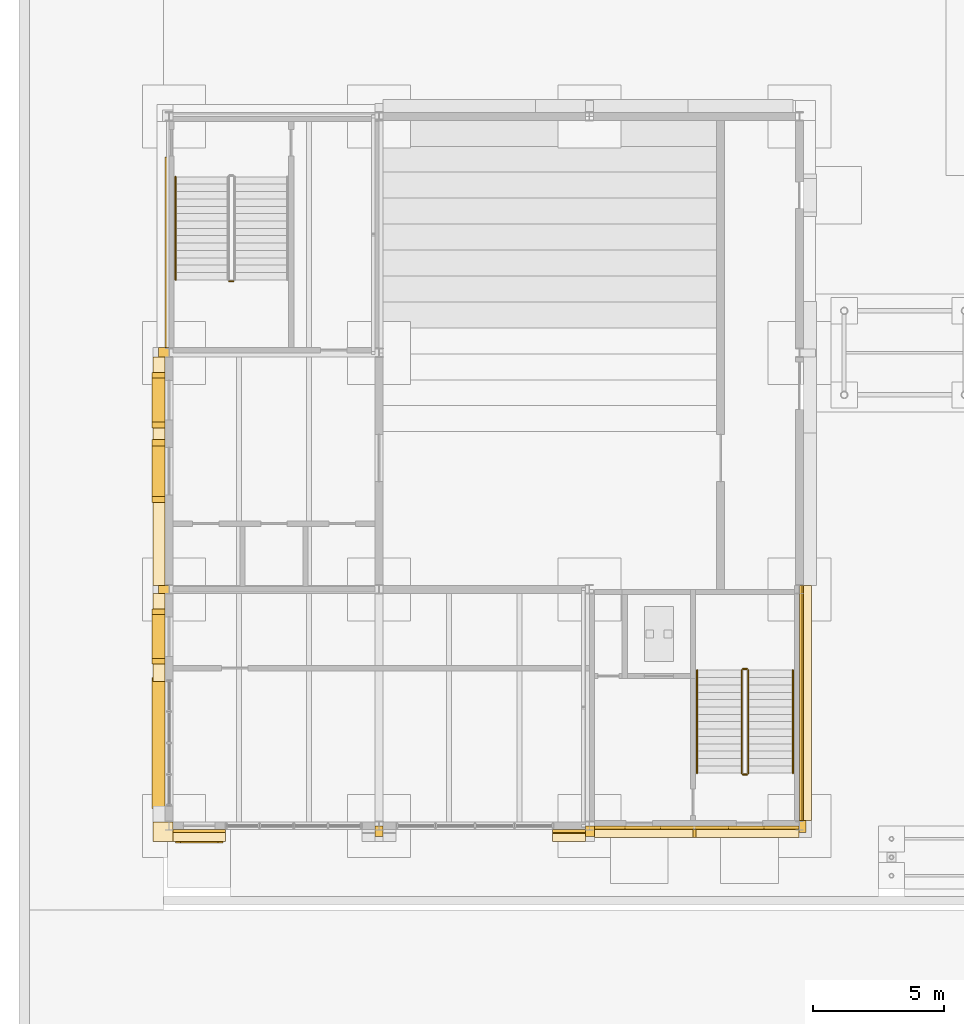
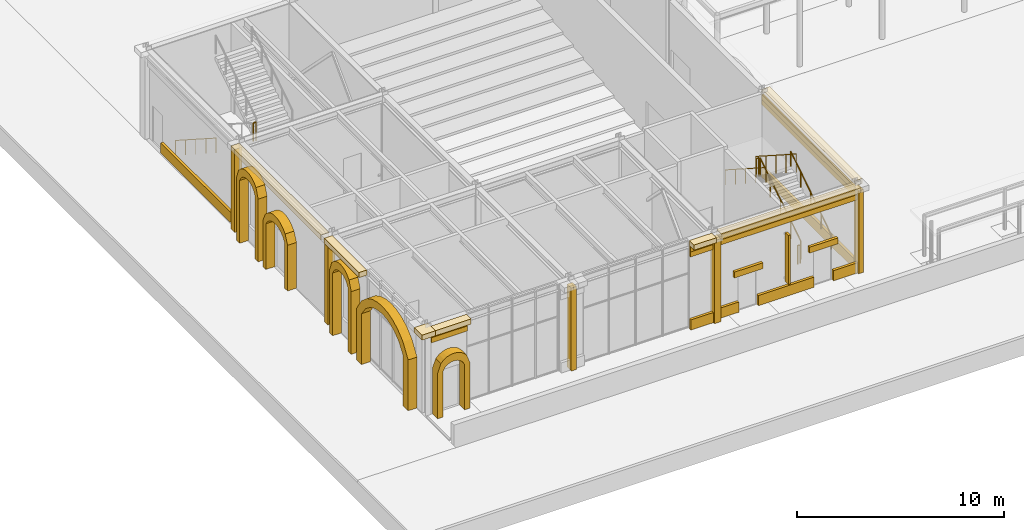
# One storey, part 97 of 126: 33 coverings, 8 railings, 1 shading device.
"""IFC4 building model written with IfcOpenShell, lengths in metres."""

from ifc_helpers import new_model, si_unit, direction, frame, origin, origin_2d, place, context, subcontext, project, spatial, polyline, rectangle, circle, outline, extrude, material, layer, layer_set, type_object, element, save


model = new_model("IFC4")

# Units and contexts
model_context = context("Model", 3, precision=1e-05, world=origin(), true_north=direction((0.0, 1.0)))
body_context = subcontext(model_context, "Body", "Model", "MODEL_VIEW")
ifc_project = project(units=[si_unit("LENGTHUNIT", "METRE"), si_unit("AREAUNIT", "SQUARE_METRE"), si_unit("VOLUMEUNIT", "CUBIC_METRE"), si_unit("PLANEANGLEUNIT", "RADIAN"), si_unit("MASSUNIT", "GRAM", prefix="KILO")], contexts=[model_context])

# Site, building, storey
site_placement = place(None, origin())
site = spatial("IfcSite", under=ifc_project, at=site_placement, CompositionType="ELEMENT")
building_placement = place(site_placement, origin())
building = spatial("IfcBuilding", under=site, at=building_placement, Name="Kallimachos Central Library", CompositionType="ELEMENT")
storey_placement = place(building_placement, origin())
storey = spatial("IfcBuildingStorey", under=building, at=storey_placement, Name="L00", CompositionType="ELEMENT", Elevation=0.0)

# Coverings
ifc_material_1 = material(Name="Glazed ceramic frieze, green")
ifc_layer_1 = layer(ifc_material_1, 0.10009765625)
ifc_layer_set_1 = layer_set([ifc_layer_1], Name="Glazed ceramic frieze, green")
covering_type_1 = type_object("IfcCoveringType", Name="Glazed ceramic frieze, green", PredefinedType="CLADDING", material=ifc_layer_set_1)
covering_1_placement = place(storey_placement, frame((7.14990234375, 8.800048828125, 4.580078125), z_axis=(0.0, 0.0, 1.0), x_axis=(1.0, 0.0, 0.0)))
element("IfcCovering", 1, at=covering_1_placement, inside=storey, type_object=covering_type_1, Name="Glazed ceramic frieze, green -L00-005", PredefinedType="CLADDING", context=body_context, shape_type="SweptSolid", body=[
    extrude(rectangle(XDim=2.0, YDim=0.10009765625, at=origin_2d()), origin(), (0.0, 0.0, 1.0), 0.300048828125),
])
covering_2_placement = place(storey_placement, frame((21.219970703125, 8.800048828125, 4.580078125), z_axis=(0.0, 0.0, 1.0), x_axis=(1.0, 0.0, 0.0)))
element("IfcCovering", 2, at=covering_2_placement, inside=storey, type_object=covering_type_1, Name="Glazed ceramic frieze, green -L00-008", PredefinedType="CLADDING", context=body_context, shape_type="SweptSolid", body=[
    extrude(rectangle(XDim=1.260009765625, YDim=0.10009765625, at=origin_2d()), origin(), (0.0, 0.0, 1.0), 0.300048828125),
])
covering_3_placement = place(storey_placement, frame((26.094970703125, 8.949951171875, 4.580078125), z_axis=(0.0, 0.0, 1.0), x_axis=(1.0, 0.0, 0.0)))
element("IfcCovering", 3, at=covering_3_placement, inside=storey, type_object=covering_type_1, Name="Glazed ceramic frieze, green -L00-019", PredefinedType="CLADDING", context=body_context, shape_type="SweptSolid", body=[
    extrude(rectangle(XDim=7.7900390625, YDim=0.10009765625, at=origin_2d()), origin(), (0.0, 0.0, 1.0), 0.300048828125),
])
covering_4_placement = place(storey_placement, frame((30.050048828125, 13.675048828125, 4.580078125), z_axis=(0.0, 0.0, 1.0), x_axis=(1.0, 0.0, 0.0)))
element("IfcCovering", 4, at=covering_4_placement, inside=storey, type_object=covering_type_1, Name="Glazed ceramic frieze, green -L00-020", PredefinedType="CLADDING", context=body_context, shape_type="SweptSolid", body=[
    extrude(rectangle(XDim=0.10009765625, YDim=8.949951171875, at=origin_2d()), origin(), (0.0, 0.0, 1.0), 0.300048828125),
])
ifc_material_2 = material(Name="Glazed ceramic frieze, ochre")
ifc_layer_2 = layer(ifc_material_2, 0.10009765625)
ifc_layer_set_2 = layer_set([ifc_layer_2], Name="Glazed ceramic frieze, ochre")
covering_type_2 = type_object("IfcCoveringType", Name="Glazed ceramic frieze, ochre", PredefinedType="CLADDING", material=ifc_layer_set_2)
covering_5_placement = place(storey_placement, frame((7.14990234375, 8.800048828125, 4.27978515625), z_axis=(0.0, 0.0, 1.0), x_axis=(1.0, 0.0, 0.0)))
element("IfcCovering", 5, at=covering_5_placement, inside=storey, type_object=covering_type_2, Name="Glazed ceramic frieze, ochre -L00-005", PredefinedType="CLADDING", context=body_context, shape_type="SweptSolid", body=[
    extrude(rectangle(XDim=2.0, YDim=0.10009765625, at=origin_2d()), origin(), (0.0, 0.0, 1.0), 0.300048828125),
])
covering_6_placement = place(storey_placement, frame((21.219970703125, 8.800048828125, 4.27978515625), z_axis=(0.0, 0.0, 1.0), x_axis=(1.0, 0.0, 0.0)))
element("IfcCovering", 6, at=covering_6_placement, inside=storey, type_object=covering_type_2, Name="Glazed ceramic frieze, ochre -L00-008", PredefinedType="CLADDING", context=body_context, shape_type="SweptSolid", body=[
    extrude(rectangle(XDim=1.260009765625, YDim=0.10009765625, at=origin_2d()), origin(), (0.0, 0.0, 1.0), 0.300048828125),
])
covering_7_placement = place(storey_placement, frame((26.094970703125, 8.949951171875, 4.27978515625), z_axis=(0.0, 0.0, 1.0), x_axis=(1.0, 0.0, 0.0)))
element("IfcCovering", 7, at=covering_7_placement, inside=storey, type_object=covering_type_2, Name="Glazed ceramic frieze, ochre -L00-019", PredefinedType="CLADDING", context=body_context, shape_type="SweptSolid", body=[
    extrude(rectangle(XDim=7.7900390625, YDim=0.10009765625, at=origin_2d()), origin(), (0.0, 0.0, 1.0), 0.300048828125),
])
covering_8_placement = place(storey_placement, frame((30.050048828125, 13.675048828125, 4.27978515625), z_axis=(0.0, 0.0, 1.0), x_axis=(1.0, 0.0, 0.0)))
element("IfcCovering", 8, at=covering_8_placement, inside=storey, type_object=covering_type_2, Name="Glazed ceramic frieze, ochre -L00-020", PredefinedType="CLADDING", context=body_context, shape_type="SweptSolid", body=[
    extrude(rectangle(XDim=0.10009765625, YDim=8.949951171875, at=origin_2d()), origin(), (0.0, 0.0, 1.0), 0.300048828125),
])

# Railings
ifc_material_3 = material(Name="Wrought iron")
railing_type_1 = type_object("IfcRailingType", Name="Stair guard", PredefinedType="GUARDRAIL", material=ifc_material_3)
railing_1_placement = place(storey_placement, frame((28.050048828125, 11.0, 0.179931640625)))
element("IfcRailing", 9, at=railing_1_placement, inside=storey, type_object=railing_type_1, Name="L00 ST17 stair guard 1", PredefinedType="GUARDRAIL", context=body_context, shape_type="SweptSolid", body=[
    extrude(circle(Radius=0.02392578125, at=origin_2d()), frame((0.0, 0.0, 1.076171875), z_axis=(0.0, 0.841171666519, 0.540768182723), x_axis=(-1.0, 0.0, 0.0)), (0.0, 0.0, 1.0), 4.66015625),
    extrude(circle(Radius=0.02099609375, at=origin_2d()), origin(), (0.0, 0.0, 1.0), 1.052001953125),
    extrude(circle(Radius=0.02099609375, at=origin_2d()), frame((0.0, 0.97998046875, 0.6298828125)), (0.0, 0.0, 1.0), 1.052001953125),
    extrude(circle(Radius=0.02099609375, at=origin_2d()), frame((0.0, 1.9599609375, 1.260009765625)), (0.0, 0.0, 1.0), 1.052001953125),
    extrude(circle(Radius=0.02099609375, at=origin_2d()), frame((0.0, 2.93994140625, 1.89013671875)), (0.0, 0.0, 1.0), 1.052001953125),
    extrude(circle(Radius=0.02099609375, at=origin_2d()), frame((0.0, 3.919921875, 2.52001953125)), (0.0, 0.0, 1.0), 1.052001953125),
])
railing_2_placement = place(storey_placement, frame((28.0, 14.969970703125, 2.699951171875)))
element("IfcRailing", 10, at=railing_2_placement, inside=storey, type_object=railing_type_1, Name="L00 ST17 stair guard 2", PredefinedType="GUARDRAIL", context=body_context, shape_type="SweptSolid", body=[
    extrude(circle(Radius=0.02392578125, at=origin_2d()), frame((0.0, 0.0, 1.076171875), z_axis=(-1.0, 0.0, 0.0), x_axis=(0.0, -1.0, 0.0)), (0.0, 0.0, 1.0), 0.14990234375),
    extrude(circle(Radius=0.02099609375, at=origin_2d()), origin(), (0.0, 0.0, 1.0), 1.052001953125),
    extrude(circle(Radius=0.02099609375, at=origin_2d()), frame((-0.14990234375, 0.0, 0.0)), (0.0, 0.0, 1.0), 1.052001953125),
])
railing_3_placement = place(storey_placement, frame((27.800048828125, 14.919921875, 2.8798828125)))
element("IfcRailing", 11, at=railing_3_placement, inside=storey, type_object=railing_type_1, Name="L00 ST17 stair guard 3", PredefinedType="GUARDRAIL", context=body_context, shape_type="SweptSolid", body=[
    extrude(circle(Radius=0.02392578125, at=origin_2d()), frame((0.0, 0.0, 1.076171875), z_axis=(0.0, -0.841171666519, 0.540768182723), x_axis=(1.0, 0.0, 0.0)), (0.0, 0.0, 1.0), 4.66015625),
    extrude(circle(Radius=0.02099609375, at=origin_2d()), origin(), (0.0, 0.0, 1.0), 1.052001953125),
    extrude(circle(Radius=0.02099609375, at=origin_2d()), frame((0.0, -0.97998046875, 0.6298828125)), (0.0, 0.0, 1.0), 1.052001953125),
    extrude(circle(Radius=0.02099609375, at=origin_2d()), frame((0.0, -1.9599609375, 1.260009765625)), (0.0, 0.0, 1.0), 1.052001953125),
    extrude(circle(Radius=0.02099609375, at=origin_2d()), frame((0.0, -2.93994140625, 1.89013671875)), (0.0, 0.0, 1.0), 1.052001953125),
    extrude(circle(Radius=0.02099609375, at=origin_2d()), frame((0.0, -3.919921875, 2.52001953125)), (0.0, 0.0, 1.0), 1.052001953125),
])
railing_4_placement = place(storey_placement, frame((28.0, 10.949951171875, 0.0)))
element("IfcRailing", 12, at=railing_4_placement, inside=storey, type_object=railing_type_1, Name="L00 ST17 stair guard 4", PredefinedType="GUARDRAIL", context=body_context, shape_type="SweptSolid", body=[
    extrude(circle(Radius=0.02392578125, at=origin_2d()), frame((0.0, 0.0, 1.076171875), z_axis=(-1.0, 0.0, 0.0), x_axis=(0.0, -1.0, 0.0)), (0.0, 0.0, 1.0), 0.14990234375),
    extrude(circle(Radius=0.02099609375, at=origin_2d()), origin(), (0.0, 0.0, 1.0), 1.052001953125),
    extrude(circle(Radius=0.02099609375, at=origin_2d()), frame((-0.14990234375, 0.0, 0.0)), (0.0, 0.0, 1.0), 1.052001953125),
])
railing_5_placement = place(storey_placement, frame((8.300048828125, 29.72998046875, 2.699951171875)))
element("IfcRailing", 13, at=railing_5_placement, inside=storey, type_object=railing_type_1, Name="L00 ST18 stair guard 2", PredefinedType="GUARDRAIL", context=body_context, shape_type="SweptSolid", body=[
    extrude(circle(Radius=0.02392578125, at=origin_2d()), frame((0.0, 0.0, 1.076171875), z_axis=(1.0, 0.0, 0.0), x_axis=(0.0, 1.0, 0.0)), (0.0, 0.0, 1.0), 0.14990234375),
    extrude(circle(Radius=0.02099609375, at=origin_2d()), origin(), (0.0, 0.0, 1.0), 1.052001953125),
    extrude(circle(Radius=0.02099609375, at=origin_2d()), frame((0.14990234375, 0.0, 0.0)), (0.0, 0.0, 1.0), 1.052001953125),
])
ifc_material_4 = material(Name="Wrought iron")
railing_type_2 = type_object("IfcRailingType", Name="Stair handrail", PredefinedType="HANDRAIL", material=ifc_material_4)
railing_6_placement = place(storey_placement, frame((29.75, 11.0, 0.179931640625)))
element("IfcRailing", 14, at=railing_6_placement, inside=storey, type_object=railing_type_2, Name="L00 ST17 stair handrail 1", PredefinedType="HANDRAIL", context=body_context, shape_type="SweptSolid", body=[
    extrude(circle(Radius=0.02392578125, at=origin_2d()), frame((0.0, 0.0, 0.8759765625), z_axis=(0.0, 0.841171666519, 0.540768182723), x_axis=(-1.0, 0.0, 0.0)), (0.0, 0.0, 1.0), 4.66015625),
    extrude(circle(Radius=0.02099609375, at=origin_2d()), origin(), (0.0, 0.0, 1.0), 0.851806640625),
    extrude(circle(Radius=0.02099609375, at=origin_2d()), frame((0.0, 0.97998046875, 0.6298828125)), (0.0, 0.0, 1.0), 0.851806640625),
    extrude(circle(Radius=0.02099609375, at=origin_2d()), frame((0.0, 1.9599609375, 1.260009765625)), (0.0, 0.0, 1.0), 0.851806640625),
    extrude(circle(Radius=0.02099609375, at=origin_2d()), frame((0.0, 2.93994140625, 1.89013671875)), (0.0, 0.0, 1.0), 0.851806640625),
    extrude(circle(Radius=0.02099609375, at=origin_2d()), frame((0.0, 3.919921875, 2.52001953125)), (0.0, 0.0, 1.0), 0.851806640625),
])
for number, where, name in (
    (15, (26.10009765625, 14.919921875, 2.8798828125), "L00 ST17 stair handrail 2"),
    (16, (6.25, 33.699951171875, 0.179931640625), "L00 ST18 stair handrail 1"),
):
    element("IfcRailing", number, at=place(storey_placement, frame(where)), inside=storey, type_object=railing_type_2, Name=name, PredefinedType="HANDRAIL", context=body_context, shape_type="SweptSolid", body=[
        extrude(circle(Radius=0.02392578125, at=origin_2d()), frame((0.0, 0.0, 0.8759765625), z_axis=(0.0, -0.841171666519, 0.540768182723), x_axis=(1.0, 0.0, 0.0)), (0.0, 0.0, 1.0), 4.66015625),
        extrude(circle(Radius=0.02099609375, at=origin_2d()), origin(), (0.0, 0.0, 1.0), 0.851806640625),
        extrude(circle(Radius=0.02099609375, at=origin_2d()), frame((0.0, -0.97998046875, 0.6298828125)), (0.0, 0.0, 1.0), 0.851806640625),
        extrude(circle(Radius=0.02099609375, at=origin_2d()), frame((0.0, -1.9599609375, 1.260009765625)), (0.0, 0.0, 1.0), 0.851806640625),
        extrude(circle(Radius=0.02099609375, at=origin_2d()), frame((0.0, -2.93994140625, 1.89013671875)), (0.0, 0.0, 1.0), 0.851806640625),
        extrude(circle(Radius=0.02099609375, at=origin_2d()), frame((0.0, -3.919921875, 2.52001953125)), (0.0, 0.0, 1.0), 0.851806640625),
    ])

# Coverings
ifc_material_5 = material(Name="Pentelic marble arcade ring", Category="masonry")
ifc_layer_3 = layer(ifc_material_5, 0.5)
ifc_layer_set_3 = layer_set([ifc_layer_3], Name="Stone arcade ring 500")
covering_type_3 = type_object("IfcCoveringType", Name="Stone arcade ring 500", PredefinedType="MOLDING", material=ifc_layer_set_3)
for number, where, z_axis, x_axis, name in (
    (17, (5.35009765625, 15.14990234375, 0.0), (-1.0, 0.0, 0.0), (0.0, 0.0, 1.0), "Arcade ring -L00-010-12"),
    (18, (5.35009765625, 24.14990234375, 0.0), (-1.0, 0.0, 0.0), (0.0, 0.0, 1.0), "Arcade ring -L00-011-13"),
):
    element("IfcCovering", number, at=place(storey_placement, frame(where, z_axis=z_axis, x_axis=x_axis)), inside=storey, type_object=covering_type_3, Name=name, PredefinedType="MOLDING", context=body_context, shape_type="SweptSolid", body=[
        extrude(outline(polyline([(0.0, 0.0), (3.699951171875, 0.0), (4.2568359375, 0.210205078125), (4.4658203125, 0.420166015625), (4.587646484375, 0.630126953125), (4.65380859375, 0.840087890625), (4.675048828125, 1.050048828125), (4.65380859375, 1.260009765625), (4.587646484375, 1.47021484375), (4.4658203125, 1.68017578125), (4.2568359375, 1.89013671875), (3.699951171875, 2.10009765625), (0.0, 2.10009765625), (0.0, 1.800048828125), (3.699951171875, 1.800048828125), (3.953125, 1.650146484375), (4.086181640625, 1.5), (4.16650390625, 1.35009765625), (4.210693359375, 1.2001953125), (4.22509765625, 1.050048828125), (4.210693359375, 0.900146484375), (4.16650390625, 0.75), (4.086181640625, 0.60009765625), (3.953125, 0.4501953125), (3.699951171875, 0.300048828125), (0.0, 0.300048828125), (0.0, 0.0)])), origin(), (0.0, 0.0, -1.0), 0.5),
    ])
ifc_material_6 = material(Name="Pentelic marble cornice", Category="masonry")
ifc_layer_4 = layer(ifc_material_6, 0.449951171875)
ifc_layer_set_4 = layer_set([ifc_layer_4], Name="Stone cornice 450")
covering_type_4 = type_object("IfcCoveringType", Name="Stone cornice 450", PredefinedType="MOLDING", material=ifc_layer_set_4)
covering_9_placement = place(storey_placement, frame((7.14990234375, 8.625, 4.89990234375), z_axis=(0.0, 0.0, 1.0), x_axis=(1.0, 0.0, 0.0)))
element("IfcCovering", 19, at=covering_9_placement, inside=storey, type_object=covering_type_4, Name="Stone cornice 450 -L00-005", PredefinedType="MOLDING", context=body_context, shape_type="SweptSolid", body=[
    extrude(rectangle(XDim=2.0, YDim=0.449951171875, at=origin_2d()), origin(), (0.0, 0.0, 1.0), 0.300048828125),
])
covering_10_placement = place(storey_placement, frame((21.219970703125, 8.625, 4.89990234375), z_axis=(0.0, 0.0, 1.0), x_axis=(1.0, 0.0, 0.0)))
element("IfcCovering", 20, at=covering_10_placement, inside=storey, type_object=covering_type_4, Name="Stone cornice 450 -L00-008", PredefinedType="MOLDING", context=body_context, shape_type="SweptSolid", body=[
    extrude(rectangle(XDim=1.260009765625, YDim=0.449951171875, at=origin_2d()), origin(), (0.0, 0.0, 1.0), 0.300048828125),
])
covering_11_placement = place(storey_placement, frame((5.625, 16.169921875, 4.89990234375), z_axis=(0.0, 0.0, 1.0), x_axis=(1.0, 0.0, 0.0)))
element("IfcCovering", 21, at=covering_11_placement, inside=storey, type_object=covering_type_4, Name="Stone cornice 450 -L00-010", PredefinedType="MOLDING", context=body_context, shape_type="SweptSolid", body=[
    extrude(rectangle(XDim=0.449951171875, YDim=3.360107421875, at=origin_2d()), origin(), (0.0, 0.0, 1.0), 0.300048828125),
])
covering_12_placement = place(storey_placement, frame((5.625, 22.5, 4.89990234375), z_axis=(0.0, 0.0, 1.0), x_axis=(1.0, 0.0, 0.0)))
element("IfcCovering", 22, at=covering_12_placement, inside=storey, type_object=covering_type_4, Name="Stone cornice 450 -L00-011", PredefinedType="MOLDING", context=body_context, shape_type="SweptSolid", body=[
    extrude(rectangle(XDim=0.449951171875, YDim=8.699951171875, at=origin_2d()), origin(), (0.0, 0.0, 1.0), 0.300048828125),
])
covering_13_placement = place(storey_placement, frame((26.094970703125, 8.77490234375, 4.89990234375), z_axis=(0.0, 0.0, 1.0), x_axis=(1.0, 0.0, 0.0)))
element("IfcCovering", 23, at=covering_13_placement, inside=storey, type_object=covering_type_4, Name="Stone cornice 450 -L00-019", PredefinedType="MOLDING", context=body_context, shape_type="SweptSolid", body=[
    extrude(rectangle(XDim=7.7900390625, YDim=0.449951171875, at=origin_2d()), origin(), (0.0, 0.0, 1.0), 0.300048828125),
])
covering_14_placement = place(storey_placement, frame((30.22509765625, 13.675048828125, 4.89990234375), z_axis=(0.0, 0.0, 1.0), x_axis=(1.0, 0.0, 0.0)))
element("IfcCovering", 24, at=covering_14_placement, inside=storey, type_object=covering_type_4, Name="Stone cornice 450 -L00-020", PredefinedType="MOLDING", context=body_context, shape_type="SweptSolid", body=[
    extrude(rectangle(XDim=0.449951171875, YDim=8.949951171875, at=origin_2d()), origin(), (0.0, 0.0, 1.0), 0.300048828125),
])
covering_15_placement = place(storey_placement, frame((5.77490234375, 8.77490234375, 4.89990234375), z_axis=(0.0, 0.0, 1.0), x_axis=(1.0, 0.0, 0.0)))
element("IfcCovering", 25, at=covering_15_placement, inside=storey, type_object=covering_type_4, Name="Stone cornice 450 corner", PredefinedType="MOLDING", context=body_context, shape_type="SweptSolid", body=[
    extrude(rectangle(XDim=0.75, YDim=0.75, at=origin_2d()), origin(), (0.0, 0.0, 1.0), 0.300048828125),
])
ifc_material_7 = material(Name="Pentelic marble portal arch", Category="masonry")
ifc_layer_5 = layer(ifc_material_7, 0.5)
ifc_layer_set_5 = layer_set([ifc_layer_5], Name="Stone door portal 500")
covering_type_5 = type_object("IfcCoveringType", Name="Stone door portal 500", PredefinedType="MOLDING", material=ifc_layer_set_5)
covering_16_placement = place(storey_placement, frame((6.550048828125, 8.35009765625, 0.0), z_axis=(0.0, -1.0, 0.0), x_axis=(0.0, 0.0, 1.0)))
element("IfcCovering", 26, at=covering_16_placement, inside=storey, type_object=covering_type_5, Name="Door portal -DOR-L00-002", PredefinedType="MOLDING", context=body_context, shape_type="SweptSolid", body=[
    extrude(outline(polyline([(0.0, 0.0), (2.699951171875, 0.0), (2.891845703125, -0.119873046875), (2.99560546875, -0.239990234375), (3.058837890625, -0.35986328125), (3.09375, -0.47998046875), (3.10498046875, -0.599853515625), (3.09375, -0.719970703125), (3.058837890625, -0.83984375), (2.99560546875, -0.9599609375), (2.891845703125, -1.079833984375), (2.699951171875, -1.199951171875), (0.0, -1.199951171875), (0.0, -1.5), (2.699951171875, -1.5), (3.19580078125, -1.320068359375), (3.375244140625, -1.139892578125), (3.47998046875, -0.9599609375), (3.536865234375, -0.780029296875), (3.554931640625, -0.599853515625), (3.536865234375, -0.419921875), (3.47998046875, -0.239990234375), (3.375244140625, -0.06005859375), (3.19580078125, 0.1201171875), (2.699951171875, 0.300048828125), (0.0, 0.300048828125), (0.0, 0.0)])), origin(), (0.0, 0.0, -1.0), 0.5),
])
covering_17_placement = place(storey_placement, frame((5.35009765625, 21.300048828125, 0.0), z_axis=(-1.0, 0.0, 0.0), x_axis=(0.0, 0.0, 1.0)))
element("IfcCovering", 27, at=covering_17_placement, inside=storey, type_object=covering_type_5, Name="Door portal -DOR-L00-003", PredefinedType="MOLDING", context=body_context, shape_type="SweptSolid", body=[
    extrude(outline(polyline([(0.0, 0.0), (2.699951171875, 0.0), (3.224365234375, 0.239990234375), (3.455322265625, 0.47998046875), (3.591796875, 0.719970703125), (3.666259765625, 0.9599609375), (3.68994140625, 1.199951171875), (3.666259765625, 1.43994140625), (3.591796875, 1.679931640625), (3.455322265625, 1.919921875), (3.224365234375, 2.159912109375), (2.699951171875, 2.39990234375), (0.0, 2.39990234375), (0.0, 2.099853515625), (2.699951171875, 2.099853515625), (2.9423828125, 1.919921875), (3.085205078125, 1.739990234375), (3.17431640625, 1.56005859375), (3.22412109375, 1.3798828125), (3.239990234375, 1.199951171875), (3.22412109375, 1.02001953125), (3.17431640625, 0.83984375), (3.085205078125, 0.659912109375), (2.9423828125, 0.47998046875), (2.699951171875, 0.300048828125), (0.0, 0.300048828125), (0.0, 0.0)])), origin(), (0.0, 0.0, -1.0), 0.5),
])
ifc_material_8 = material(Name="Pentelic marble door surround", Category="masonry")
ifc_layer_6 = layer(ifc_material_8, 0.14990234375)
ifc_layer_set_6 = layer_set([ifc_layer_6], Name="Stone door surround 300")
covering_type_6 = type_object("IfcCoveringType", Name="Stone door surround 300", PredefinedType="MOLDING", material=ifc_layer_set_6)
for number, where, z_axis, x_axis, name in (
    (28, (23.89990234375, 8.925048828125, 2.099853515625), (0.0, 0.0, 1.0), (1.0, 0.0, 0.0), "Stone door surround 300 -L00-012"),
    (29, (28.10009765625, 8.925048828125, 2.099853515625), (0.0, 0.0, 1.0), (1.0, 0.0, 0.0), "Stone door surround 300 -L00-013"),
):
    element("IfcCovering", number, at=place(storey_placement, frame(where, z_axis=z_axis, x_axis=x_axis)), inside=storey, type_object=covering_type_6, Name=name, PredefinedType="MOLDING", context=body_context, shape_type="SweptSolid", body=[
        extrude(rectangle(XDim=1.60009765625, YDim=0.14990234375, at=origin_2d()), origin(), (0.0, 0.0, 1.0), 0.35009765625),
    ])
ifc_material_9 = material(Name="Pentelic marble arch ring", Category="masonry")
ifc_layer_7 = layer(ifc_material_9, 0.5)
ifc_layer_set_7 = layer_set([ifc_layer_7], Name="Stone grand arch 500")
covering_type_7 = type_object("IfcCoveringType", Name="Stone grand arch 500", PredefinedType="MOLDING", material=ifc_layer_set_7)
covering_18_placement = place(storey_placement, frame((5.35009765625, 9.64990234375, 0.0), z_axis=(-1.0, 0.0, 0.0), x_axis=(0.0, 0.0, 1.0)))
element("IfcCovering", 30, at=covering_18_placement, inside=storey, type_object=covering_type_7, Name="Grand arch 4", PredefinedType="MOLDING", context=body_context, shape_type="SweptSolid", body=[
    extrude(outline(polyline([(0.0, 0.0), (3.0, 0.0), (3.77294921875, 0.5), (4.19873046875, 1.0), (4.45947265625, 1.5), (4.603515625, 2.0), (4.64990234375, 2.5), (4.603515625, 3.0), (4.45947265625, 3.5), (4.19873046875, 4.0), (3.77294921875, 4.5), (3.0, 5.0), (0.0, 5.0), (0.0, 4.5), (3.0, 4.5), (3.538818359375, 4.10009765625), (3.856201171875, 3.7001953125), (4.05419921875, 3.300048828125), (4.164306640625, 2.900146484375), (4.199951171875, 2.5), (4.164306640625, 2.10009765625), (4.05419921875, 1.7001953125), (3.856201171875, 1.300048828125), (3.538818359375, 0.900146484375), (3.0, 0.5), (0.0, 0.5), (0.0, 0.0)])), origin(), (0.0, 0.0, -1.0), 0.5),
])
ifc_material_10 = material(Name="Pentelic marble pilaster", Category="masonry")
ifc_layer_8 = layer(ifc_material_10, 0.25)
ifc_layer_set_8 = layer_set([ifc_layer_8], Name="Stone pilaster 250")
covering_type_8 = type_object("IfcCoveringType", Name="Stone pilaster 250", PredefinedType="CLADDING", material=ifc_layer_set_8)
covering_19_placement = place(storey_placement, frame((14.0, 8.800048828125, 0.0), z_axis=(0.0, 0.0, 1.0), x_axis=(1.0, 0.0, 0.0)))
element("IfcCovering", 31, at=covering_19_placement, inside=storey, type_object=covering_type_8, Name="Stone pilaster 250 -L00-006", PredefinedType="CLADDING", context=body_context, shape_type="SweptSolid", body=[
    extrude(rectangle(XDim=0.300048828125, YDim=0.39990234375, at=origin_2d()), origin(), (0.0, 0.0, 1.0), 4.89990234375),
])
covering_20_placement = place(storey_placement, frame((22.02490234375, 8.800048828125, 0.0), z_axis=(0.0, 0.0, 1.0), x_axis=(1.0, 0.0, 0.0)))
element("IfcCovering", 32, at=covering_20_placement, inside=storey, type_object=covering_type_8, Name="Stone pilaster 250 -L00-008", PredefinedType="CLADDING", context=body_context, shape_type="SweptSolid", body=[
    extrude(rectangle(XDim=0.35009765625, YDim=0.39990234375, at=origin_2d()), origin(), (0.0, 0.0, 1.0), 4.89990234375),
])
covering_21_placement = place(storey_placement, frame((5.800048828125, 18.0, 0.0), z_axis=(0.0, 0.0, 1.0), x_axis=(1.0, 0.0, 0.0)))
element("IfcCovering", 33, at=covering_21_placement, inside=storey, type_object=covering_type_8, Name="Stone pilaster 250 -L00-010", PredefinedType="CLADDING", context=body_context, shape_type="SweptSolid", body=[
    extrude(rectangle(XDim=0.39990234375, YDim=0.300048828125, at=origin_2d()), origin(), (0.0, 0.0, 1.0), 4.89990234375),
])
covering_22_placement = place(storey_placement, frame((5.800048828125, 27.02490234375, 0.0), z_axis=(0.0, 0.0, 1.0), x_axis=(1.0, 0.0, 0.0)))
element("IfcCovering", 34, at=covering_22_placement, inside=storey, type_object=covering_type_8, Name="Stone pilaster 250 -L00-011", PredefinedType="CLADDING", context=body_context, shape_type="SweptSolid", body=[
    extrude(rectangle(XDim=0.39990234375, YDim=0.35009765625, at=origin_2d()), origin(), (0.0, 0.0, 1.0), 4.89990234375),
])
covering_23_placement = place(storey_placement, frame((30.1201171875, 8.97509765625, 0.0), z_axis=(0.0, 0.0, 1.0), x_axis=(1.0, 0.0, 0.0)))
element("IfcCovering", 35, at=covering_23_placement, inside=storey, type_object=covering_type_8, Name="Stone pilaster 250 corner", PredefinedType="CLADDING", context=body_context, shape_type="SweptSolid", body=[
    extrude(rectangle(XDim=0.260009765625, YDim=0.449951171875, at=origin_2d()), origin(), (0.0, 0.0, 1.0), 4.89990234375),
])
ifc_material_11 = material(Name="Pentelic marble plinth course", Category="masonry")
ifc_layer_9 = layer(ifc_material_11, 0.14990234375)
ifc_layer_set_9 = layer_set([ifc_layer_9], Name="Stone plinth course 600")
covering_type_9 = type_object("IfcCoveringType", Name="Stone plinth course 600", PredefinedType="CLADDING", material=ifc_layer_set_9)
covering_24_placement = place(storey_placement, frame((21.219970703125, 8.77490234375, 0.0), z_axis=(0.0, 0.0, 1.0), x_axis=(1.0, 0.0, 0.0)))
element("IfcCovering", 36, at=covering_24_placement, inside=storey, type_object=covering_type_9, Name="Stone plinth course 600 -L00-008", PredefinedType="CLADDING", context=body_context, shape_type="SweptSolid", body=[
    extrude(rectangle(XDim=1.260009765625, YDim=0.14990234375, at=origin_2d()), origin(), (0.0, 0.0, 1.0), 0.60009765625),
])
covering_25_placement = place(storey_placement, frame((22.77490234375, 8.925048828125, 0.0), z_axis=(0.0, 0.0, 1.0), x_axis=(1.0, 0.0, 0.0)))
element("IfcCovering", 37, at=covering_25_placement, inside=storey, type_object=covering_type_9, Name="Stone plinth course 600 -L00-019", PredefinedType="CLADDING", context=body_context, shape_type="SweptSolid", body=[
    extrude(rectangle(XDim=1.14990234375, YDim=0.14990234375, at=origin_2d()), origin(), (0.0, 0.0, 1.0), 0.60009765625),
])
covering_26_placement = place(storey_placement, frame((26.0, 8.925048828125, 0.0), z_axis=(0.0, 0.0, 1.0), x_axis=(1.0, 0.0, 0.0)))
element("IfcCovering", 38, at=covering_26_placement, inside=storey, type_object=covering_type_9, Name="Stone plinth course 600 -L00-019", PredefinedType="CLADDING", context=body_context, shape_type="SweptSolid", body=[
    extrude(rectangle(XDim=3.10009765625, YDim=0.14990234375, at=origin_2d()), origin(), (0.0, 0.0, 1.0), 0.60009765625),
])
covering_27_placement = place(storey_placement, frame((29.320068359375, 8.925048828125, 0.0), z_axis=(0.0, 0.0, 1.0), x_axis=(1.0, 0.0, 0.0)))
element("IfcCovering", 39, at=covering_27_placement, inside=storey, type_object=covering_type_9, Name="Stone plinth course 600 -L00-019", PredefinedType="CLADDING", context=body_context, shape_type="SweptSolid", body=[
    extrude(rectangle(XDim=1.340087890625, YDim=0.14990234375, at=origin_2d()), origin(), (0.0, 0.0, 1.0), 0.60009765625),
])
covering_28_placement = place(storey_placement, frame((30.074951171875, 13.675048828125, 0.0), z_axis=(0.0, 0.0, 1.0), x_axis=(1.0, 0.0, 0.0)))
element("IfcCovering", 40, at=covering_28_placement, inside=storey, type_object=covering_type_9, Name="Stone plinth course 600 -L00-020", PredefinedType="CLADDING", context=body_context, shape_type="SweptSolid", body=[
    extrude(rectangle(XDim=0.14990234375, YDim=8.949951171875, at=origin_2d()), origin(), (0.0, 0.0, 1.0), 0.60009765625),
])
covering_29_placement = place(storey_placement, frame((5.925048828125, 30.824951171875, 0.0), z_axis=(0.0, 0.0, 1.0), x_axis=(1.0, 0.0, 0.0)))
element("IfcCovering", 41, at=covering_29_placement, inside=storey, type_object=covering_type_9, Name="Stone plinth course 600 -L00-027", PredefinedType="CLADDING", context=body_context, shape_type="SweptSolid", body=[
    extrude(rectangle(XDim=0.14990234375, YDim=7.25, at=origin_2d()), origin(), (0.0, 0.0, 1.0), 0.60009765625),
])

# Shading device
ifc_material_12 = material(Name="Pentelic marble fin", Category="masonry")
ifc_layer_10 = layer(ifc_material_12, 0.1201171875)
ifc_layer_set_10 = layer_set([ifc_layer_10], Name="Stone sun-shade fin 120")
shading_device_type = type_object("IfcShadingDeviceType", Name="Stone sun-shade fin 120", PredefinedType="USERDEFINED", material=ifc_layer_set_10)
shading_device_placement = place(storey_placement, frame((26.0, 8.699951171875, 0.900146484375), z_axis=(0.0, 0.0, 1.0), x_axis=(1.0, 0.0, 0.0)))
element("IfcShadingDevice", 42, at=shading_device_placement, inside=storey, type_object=shading_device_type, Name="Stone sun-shade fin 120 -L00-019", ObjectType="FIN", PredefinedType="USERDEFINED", context=body_context, shape_type="SweptSolid", body=[
    extrude(rectangle(XDim=0.1201171875, YDim=0.300048828125, at=origin_2d()), origin(), (0.0, 0.0, 1.0), 2.89990234375),
])

save(model, "model.ifc")
